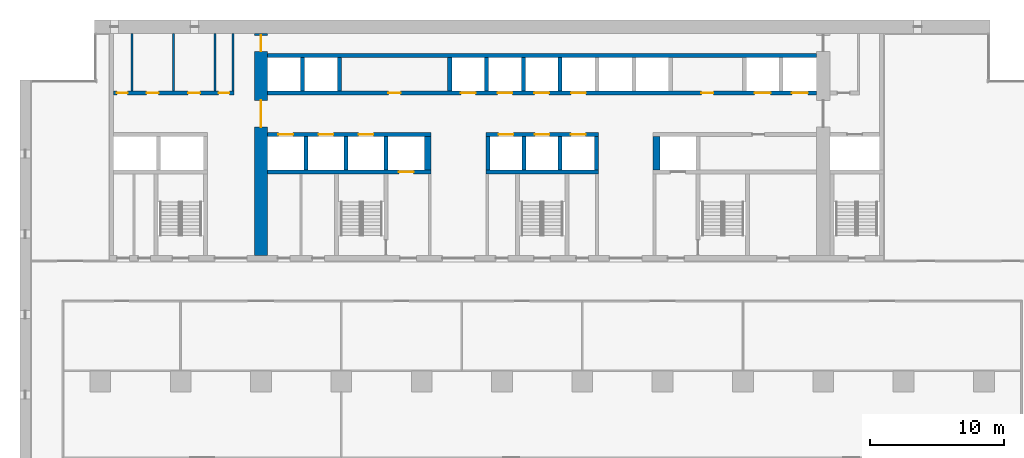
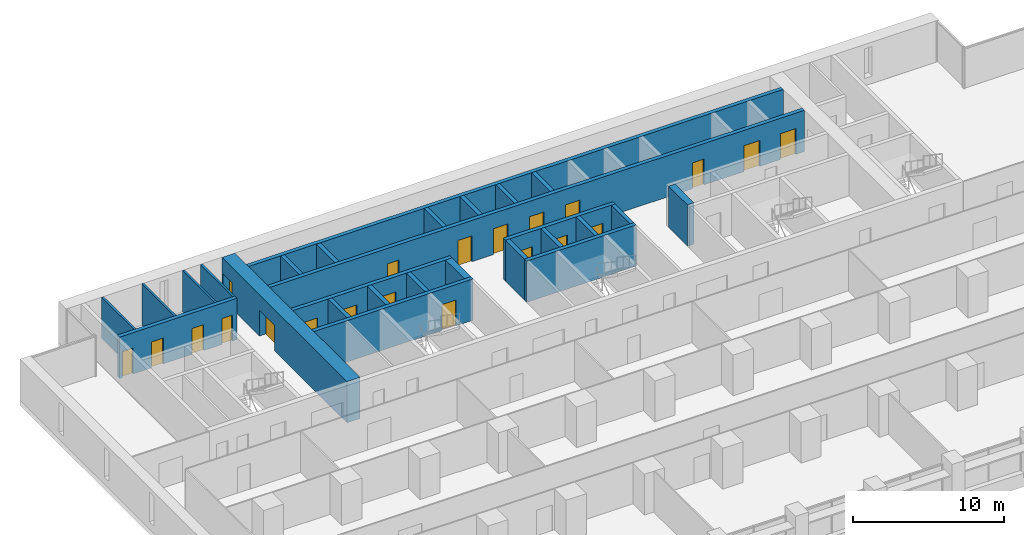
# One storey, part 11 of 17: 27 walls, 21 doors, 21 openings.
"""IFC4 building model written with IfcOpenShell, lengths in metres."""

from ifc_helpers import new_model, si_unit, direction, frame, frame_2d, origin, place, context, subcontext, project, spatial, rectangle, extrude, material, layer, layer_set, type_object, element, fill, save


model = new_model("IFC4")

# Units and contexts
model_context = context("Model", 3, precision=1e-05, world=origin(), true_north=direction((0.0, 1.0)))
body_context = subcontext(model_context, "Body", "Model", "MODEL_VIEW")
ifc_project = project(units=[si_unit("LENGTHUNIT", "METRE"), si_unit("AREAUNIT", "SQUARE_METRE"), si_unit("VOLUMEUNIT", "CUBIC_METRE"), si_unit("PLANEANGLEUNIT", "RADIAN"), si_unit("MASSUNIT", "GRAM", prefix="KILO")], contexts=[model_context])

# Site, building, storey
site_placement = place(None, origin())
site = spatial("IfcSite", under=ifc_project, at=site_placement, CompositionType="ELEMENT")
building_placement = place(site_placement, origin())
building = spatial("IfcBuilding", under=site, at=building_placement, Name="Calvaro Tower", CompositionType="ELEMENT")
storey_placement = place(building_placement, frame((0.0, 0.0, 71.25)))
storey = spatial("IfcBuildingStorey", under=building, at=storey_placement, Name="L17", CompositionType="ELEMENT", Elevation=71.25)

# Walls
ifc_material_1 = material(Name="Blockwork partition", Category="masonry")
ifc_layer_1 = layer(ifc_material_1, 0.14990234375)
ifc_layer_set_1 = layer_set([ifc_layer_1], Name="Blockwork partition")
wall_type_1 = type_object("IfcWallType", Name="Core partition 150 EI 60", PredefinedType="PARTITIONING", material=ifc_layer_set_1)
for number, where, z_axis, x_axis, name in (
    (1, (8.35009765625, 40.699951171875, 0.0), (0.0, 0.0, 1.0), (0.0, 1.0, 0.0), "Core partition"),
    (2, (11.449951171875, 40.699951171875, 0.0), (0.0, 0.0, 1.0), (0.0, 1.0, 0.0), "Core partition"),
    (3, (14.550048828125, 40.699951171875, 0.0), (0.0, 0.0, 1.0), (0.0, 1.0, 0.0), "Core partition"),
):
    element("IfcWall", number, at=place(storey_placement, frame(where, z_axis=z_axis, x_axis=x_axis)), inside=storey, type_object=wall_type_1, Name=name, PredefinedType="PARTITIONING", context=body_context, shape_type="SweptSolid", body=[
        extrude(rectangle(XDim=4.300048828125, YDim=0.14990234375, at=frame_2d((2.14990234375, 0.0))), origin(), (0.0, 0.0, 1.0), 3.35009765625),
    ])
ifc_material_2 = material(Name="Blockwork partition", Category="masonry")
ifc_layer_2 = layer(ifc_material_2, 0.14990234375)
ifc_layer_set_2 = layer_set([ifc_layer_2], Name="Blockwork partition")
wall_type_2 = type_object("IfcWallType", Name="Core partition 150 REI 120", PredefinedType="PARTITIONING", material=ifc_layer_set_2)
wall_1_placement = place(storey_placement, frame((15.925048828125, 40.699951171875, 0.0), z_axis=(0.0, 0.0, 1.0), x_axis=(0.0, 1.0, 0.0)))
element("IfcWall", 4, at=wall_1_placement, inside=storey, type_object=wall_type_2, Name="Core partition", PredefinedType="PARTITIONING", context=body_context, shape_type="SweptSolid", body=[
    extrude(rectangle(XDim=4.300048828125, YDim=0.14990234375, at=frame_2d((2.14990234375, 0.0))), origin(), (0.0, 0.0, 1.0), 3.35009765625),
])

# Wall, openings, doors
ifc_material_3 = material(Name="Blockwork partition", Category="masonry")
ifc_layer_3 = layer(ifc_material_3, 0.300048828125)
ifc_layer_set_3 = layer_set([ifc_layer_3], Name="Blockwork partition")
wall_type_3 = type_object("IfcWallType", Name="Core partition 300 REI 120", PredefinedType="PARTITIONING", material=ifc_layer_set_3)
wall_2_placement = place(storey_placement, frame((7.0, 40.550048828125, 0.0), z_axis=(0.0, 0.0, 1.0), x_axis=(1.0, 0.0, 0.0)))
wall_2 = element("IfcWall", 5, at=wall_2_placement, inside=storey, type_object=wall_type_3, Name="Core partition", PredefinedType="PARTITIONING", context=body_context, shape_type="SweptSolid", body=[
    extrude(rectangle(XDim=9.0, YDim=0.300048828125, at=frame_2d((4.5, 0.0))), origin(), (0.0, 0.0, 1.0), 3.35009765625),
])
opening_1_placement = place(wall_2_placement, frame((0.237548828125, 0.0, 0.0)))
opening_1 = element("IfcOpeningElement", 6, at=opening_1_placement, cuts=wall_2, Name="Opening RD8", PredefinedType="OPENING", context=body_context, shape_type="SweptSolid", body=[
    extrude(rectangle(XDim=0.800048828125, YDim=2.10009765625, at=frame_2d((0.39990234375, 1.050048828125))), frame((0.0, 0.159912109375, 0.0), z_axis=(0.0, -1.0, 0.0), x_axis=(1.0, 0.0, 0.0)), (0.0, 0.0, 1.0), 0.320068359375),
])
opening_2_placement = place(wall_2_placement, frame((2.449951171875, 0.0, 0.0)))
opening_2 = element("IfcOpeningElement", 7, at=opening_2_placement, cuts=wall_2, Name="Opening RD9", PredefinedType="OPENING", context=body_context, shape_type="SweptSolid", body=[
    extrude(rectangle(XDim=0.89990234375, YDim=2.10009765625, at=frame_2d((0.449951171875, 1.050048828125))), frame((0.0, 0.159912109375, 0.0), z_axis=(0.0, -1.0, 0.0), x_axis=(1.0, 0.0, 0.0)), (0.0, 0.0, 1.0), 0.320068359375),
])
opening_3_placement = place(wall_2_placement, frame((5.550048828125, 0.0, 0.0)))
opening_3 = element("IfcOpeningElement", 8, at=opening_3_placement, cuts=wall_2, Name="Opening RD9", PredefinedType="OPENING", context=body_context, shape_type="SweptSolid", body=[
    extrude(rectangle(XDim=0.89990234375, YDim=2.10009765625, at=frame_2d((0.449951171875, 1.050048828125))), frame((0.0, 0.159912109375, 0.0), z_axis=(0.0, -1.0, 0.0), x_axis=(1.0, 0.0, 0.0)), (0.0, 0.0, 1.0), 0.320068359375),
])
opening_4_placement = place(wall_2_placement, frame((7.83740234375, 0.0, 0.0)))
opening_4 = element("IfcOpeningElement", 9, at=opening_4_placement, cuts=wall_2, Name="Opening RD8C", PredefinedType="OPENING", context=body_context, shape_type="SweptSolid", body=[
    extrude(rectangle(XDim=0.800048828125, YDim=2.10009765625, at=frame_2d((0.39990234375, 1.050048828125))), frame((0.0, 0.159912109375, 0.0), z_axis=(0.0, -1.0, 0.0), x_axis=(1.0, 0.0, 0.0)), (0.0, 0.0, 1.0), 0.320068359375),
])
ifc_material_4 = material(Name="Steel door set", Category="steel")
door_type_1 = type_object("IfcDoorType", Name="Room door 800", OperationType="SINGLE_SWING_LEFT", PredefinedType="DOOR", material=ifc_material_4)
door_1_placement = place(opening_1_placement, origin())
door_1 = element("IfcDoor", 10, at=door_1_placement, inside=storey, type_object=door_type_1, Name="Room door", OperationType="SINGLE_SWING_LEFT", OverallHeight=2.10009765625, OverallWidth=0.800048828125, PredefinedType="DOOR", context=body_context, shape_type="SweptSolid", body=[
    extrude(rectangle(XDim=0.800048828125, YDim=2.10009765625, at=frame_2d((0.39990234375, 1.050048828125))), frame((0.0, 0.02490234375, 0.0), z_axis=(0.0, -1.0, 0.0), x_axis=(1.0, 0.0, 0.0)), (0.0, 0.0, 1.0), 0.050048828125),
])
fill(opening_1, door_1)
ifc_material_5 = material(Name="Steel door set", Category="steel")
door_type_2 = type_object("IfcDoorType", Name="Room door 800 FD30", OperationType="SINGLE_SWING_LEFT", PredefinedType="DOOR", material=ifc_material_5)
door_2_placement = place(opening_4_placement, origin())
door_2 = element("IfcDoor", 11, at=door_2_placement, inside=storey, type_object=door_type_2, Name="Room door", OperationType="SINGLE_SWING_RIGHT", OverallHeight=2.10009765625, OverallWidth=0.800048828125, PredefinedType="DOOR", context=body_context, shape_type="SweptSolid", body=[
    extrude(rectangle(XDim=0.800048828125, YDim=2.10009765625, at=frame_2d((0.39990234375, 1.050048828125))), frame((0.0, 0.02490234375, 0.0), z_axis=(0.0, -1.0, 0.0), x_axis=(1.0, 0.0, 0.0)), (0.0, 0.0, 1.0), 0.050048828125),
])
fill(opening_4, door_2)
ifc_material_6 = material(Name="Steel door set", Category="steel")
door_type_3 = type_object("IfcDoorType", Name="Room door 900", OperationType="SINGLE_SWING_LEFT", PredefinedType="DOOR", material=ifc_material_6)
door_3_placement = place(opening_2_placement, origin())
door_3 = element("IfcDoor", 12, at=door_3_placement, inside=storey, type_object=door_type_3, Name="Room door", OperationType="SINGLE_SWING_LEFT", OverallHeight=2.10009765625, OverallWidth=0.89990234375, PredefinedType="DOOR", context=body_context, shape_type="SweptSolid", body=[
    extrude(rectangle(XDim=0.89990234375, YDim=2.10009765625, at=frame_2d((0.449951171875, 1.050048828125))), frame((0.0, 0.02490234375, 0.0), z_axis=(0.0, -1.0, 0.0), x_axis=(1.0, 0.0, 0.0)), (0.0, 0.0, 1.0), 0.050048828125),
])
fill(opening_2, door_3)
door_4_placement = place(opening_3_placement, origin())
door_4 = element("IfcDoor", 13, at=door_4_placement, inside=storey, type_object=door_type_3, Name="Room door", OperationType="SINGLE_SWING_LEFT", OverallHeight=2.10009765625, OverallWidth=0.89990234375, PredefinedType="DOOR", context=body_context, shape_type="SweptSolid", body=[
    extrude(rectangle(XDim=0.89990234375, YDim=2.10009765625, at=frame_2d((0.449951171875, 1.050048828125))), frame((0.0, 0.02490234375, 0.0), z_axis=(0.0, -1.0, 0.0), x_axis=(1.0, 0.0, 0.0)), (0.0, 0.0, 1.0), 0.050048828125),
])
fill(opening_3, door_4)

ifc_material_7 = material(Name="Concrete C80/95", Category="concrete")
ifc_layer_4 = layer(ifc_material_7, 1.0)
ifc_layer_set_4 = layer_set([ifc_layer_4], Name="Concrete C80/95")
wall_type_4 = type_object("IfcWallType", Name="Core wall C80/95 1000", PredefinedType="SHEAR", material=ifc_layer_set_4)
wall_3_placement = place(storey_placement, frame((18.0, 28.39990234375, 0.0), z_axis=(0.0, 0.0, 1.0), x_axis=(0.0, 1.0, 0.0)))
wall_3 = element("IfcWall", 14, at=wall_3_placement, inside=storey, type_object=wall_type_4, Name="Core wall, cross shear wall", PredefinedType="SHEAR", context=body_context, shape_type="SweptSolid", body=[
    extrude(rectangle(XDim=16.60009765625, YDim=1.0, at=frame_2d((8.300048828125, 0.0))), origin(), (0.0, 0.0, 1.0), 3.35009765625),
])
opening_5_placement = place(wall_3_placement, frame((9.60009765625, 0.0, 0.0)))
opening_5 = element("IfcOpeningElement", 15, at=opening_5_placement, cuts=wall_3, Name="Opening DD20D", PredefinedType="OPENING", context=body_context, shape_type="SweptSolid", body=[
    extrude(rectangle(XDim=2.0, YDim=2.10009765625, at=frame_2d((1.0, 1.050048828125))), frame((0.0, 0.510009765625, 0.0), z_axis=(0.0, -1.0, 0.0), x_axis=(1.0, 0.0, 0.0)), (0.0, 0.0, 1.0), 1.02001953125),
])
opening_6_placement = place(wall_3_placement, frame((15.25, 0.0, 0.0)))
opening_6 = element("IfcOpeningElement", 16, at=opening_6_placement, cuts=wall_3, Name="Opening FD12C", PredefinedType="OPENING", context=body_context, shape_type="SweptSolid", body=[
    extrude(rectangle(XDim=1.199951171875, YDim=2.10009765625, at=frame_2d((0.60009765625, 1.050048828125))), frame((0.0, 0.510009765625, 0.0), z_axis=(0.0, -1.0, 0.0), x_axis=(1.0, 0.0, 0.0)), (0.0, 0.0, 1.0), 1.02001953125),
])
ifc_material_8 = material(Name="Steel door set", Category="steel")
door_type_4 = type_object("IfcDoorType", Name="Fire door 1200 FD30", OperationType="SINGLE_SWING_LEFT", PredefinedType="DOOR", material=ifc_material_8)
door_5_placement = place(opening_6_placement, origin())
door_5 = element("IfcDoor", 17, at=door_5_placement, inside=storey, type_object=door_type_4, Name="Fire door", OperationType="SINGLE_SWING_LEFT", OverallHeight=2.10009765625, OverallWidth=1.199951171875, PredefinedType="DOOR", context=body_context, shape_type="SweptSolid", body=[
    extrude(rectangle(XDim=1.199951171875, YDim=2.10009765625, at=frame_2d((0.60009765625, 1.050048828125))), frame((0.0, 0.02490234375, 0.0), z_axis=(0.0, -1.0, 0.0), x_axis=(1.0, 0.0, 0.0)), (0.0, 0.0, 1.0), 0.050048828125),
])
fill(opening_6, door_5)
ifc_material_9 = material(Name="Steel door set", Category="steel")
door_type_5 = type_object("IfcDoorType", Name="Lobby double door 2000 FD30S", OperationType="DOUBLE_DOOR_SINGLE_SWING", PredefinedType="DOOR", material=ifc_material_9)
door_6_placement = place(opening_5_placement, origin())
door_6 = element("IfcDoor", 18, at=door_6_placement, inside=storey, type_object=door_type_5, Name="Lobby double door", OperationType="DOUBLE_DOOR_SINGLE_SWING", OverallHeight=2.10009765625, OverallWidth=2.0, PredefinedType="DOOR", context=body_context, shape_type="SweptSolid", body=[
    extrude(rectangle(XDim=2.0, YDim=2.10009765625, at=frame_2d((1.0, 1.050048828125))), frame((0.0, 0.02490234375, 0.0), z_axis=(0.0, -1.0, 0.0), x_axis=(1.0, 0.0, 0.0)), (0.0, 0.0, 1.0), 0.050048828125),
])
fill(opening_5, door_6)

# Wall, opening, door
ifc_material_10 = material(Name="Concrete C80/95", Category="concrete")
ifc_layer_5 = layer(ifc_material_10, 0.300048828125)
ifc_layer_set_5 = layer_set([ifc_layer_5], Name="Concrete C80/95")
wall_type_5 = type_object("IfcWallType", Name="Core wall C80/95 300", PredefinedType="SHEAR", material=ifc_layer_set_5)
wall_4_placement = place(storey_placement, frame((18.5, 34.64990234375, 0.0), z_axis=(0.0, 0.0, 1.0), x_axis=(1.0, 0.0, 0.0)))
wall_4 = element("IfcWall", 19, at=wall_4_placement, inside=storey, type_object=wall_type_5, Name="Core wall, lift shaft", PredefinedType="SHEAR", context=body_context, shape_type="SweptSolid", body=[
    extrude(rectangle(XDim=12.199951171875, YDim=0.300048828125, at=frame_2d((6.10009765625, 0.0))), origin(), (0.0, 0.0, 1.0), 3.35009765625),
])
opening_7_placement = place(wall_4_placement, frame((9.800048828125, 0.0, 0.0)))
opening_7 = element("IfcOpeningElement", 20, at=opening_7_placement, cuts=wall_4, Name="Opening FF1", PredefinedType="OPENING", context=body_context, shape_type="SweptSolid", body=[
    extrude(rectangle(XDim=1.10009765625, YDim=2.10009765625, at=frame_2d((0.550048828125, 1.050048828125))), frame((0.0, 0.159912109375, 0.0), z_axis=(0.0, -1.0, 0.0), x_axis=(1.0, 0.0, 0.0)), (0.0, 0.0, 1.0), 0.320068359375),
])
ifc_material_11 = material(Name="Stainless steel", Category="steel")
door_type_6 = type_object("IfcDoorType", Name="Landing door 1100 E 60", OperationType="SLIDING_TO_LEFT", PredefinedType="DOOR", material=ifc_material_11)
door_7_placement = place(opening_7_placement, origin())
door_7 = element("IfcDoor", 21, at=door_7_placement, inside=storey, type_object=door_type_6, Name="Landing door FF1", OperationType="SLIDING_TO_LEFT", OverallHeight=2.10009765625, OverallWidth=1.10009765625, PredefinedType="DOOR", context=body_context, shape_type="SweptSolid", body=[
    extrude(rectangle(XDim=1.10009765625, YDim=2.10009765625, at=frame_2d((0.550048828125, 1.050048828125))), frame((0.0, 0.02490234375, 0.0), z_axis=(0.0, -1.0, 0.0), x_axis=(1.0, 0.0, 0.0)), (0.0, 0.0, 1.0), 0.050048828125),
])
fill(opening_7, door_7)

# Wall
wall_5_placement = place(storey_placement, frame((34.800048828125, 34.64990234375, 0.0), z_axis=(0.0, 0.0, 1.0), x_axis=(1.0, 0.0, 0.0)))
element("IfcWall", 22, at=wall_5_placement, inside=storey, type_object=wall_type_5, Name="Core wall, lift shaft", PredefinedType="SHEAR", context=body_context, shape_type="SweptSolid", body=[
    extrude(rectangle(XDim=8.39990234375, YDim=0.300048828125, at=frame_2d((4.199951171875, 0.0))), origin(), (0.0, 0.0, 1.0), 3.35009765625),
])

# Wall, openings, doors
wall_6_placement = place(storey_placement, frame((18.5, 37.449951171875, 0.0), z_axis=(0.0, 0.0, 1.0), x_axis=(1.0, 0.0, 0.0)))
wall_6 = element("IfcWall", 23, at=wall_6_placement, inside=storey, type_object=wall_type_5, Name="Core wall, lift shaft", PredefinedType="SHEAR", context=body_context, shape_type="SweptSolid", body=[
    extrude(rectangle(XDim=12.199951171875, YDim=0.300048828125, at=frame_2d((6.10009765625, 0.0))), origin(), (0.0, 0.0, 1.0), 3.35009765625),
])
opening_8_placement = place(wall_6_placement, frame((0.800048828125, 0.0, 0.0)))
opening_8 = element("IfcOpeningElement", 24, at=opening_8_placement, cuts=wall_6, Name="Opening LR1", PredefinedType="OPENING", context=body_context, shape_type="SweptSolid", body=[
    extrude(rectangle(XDim=1.10009765625, YDim=2.10009765625, at=frame_2d((0.550048828125, 1.050048828125))), frame((0.0, 0.159912109375, 0.0), z_axis=(0.0, -1.0, 0.0), x_axis=(1.0, 0.0, 0.0)), (0.0, 0.0, 1.0), 0.320068359375),
])
opening_9_placement = place(wall_6_placement, frame((3.800048828125, 0.0, 0.0)))
opening_9 = element("IfcOpeningElement", 25, at=opening_9_placement, cuts=wall_6, Name="Opening LR2", PredefinedType="OPENING", context=body_context, shape_type="SweptSolid", body=[
    extrude(rectangle(XDim=1.10009765625, YDim=2.10009765625, at=frame_2d((0.550048828125, 1.050048828125))), frame((0.0, 0.159912109375, 0.0), z_axis=(0.0, -1.0, 0.0), x_axis=(1.0, 0.0, 0.0)), (0.0, 0.0, 1.0), 0.320068359375),
])
opening_10_placement = place(wall_6_placement, frame((6.800048828125, 0.0, 0.0)))
opening_10 = element("IfcOpeningElement", 26, at=opening_10_placement, cuts=wall_6, Name="Opening LR3", PredefinedType="OPENING", context=body_context, shape_type="SweptSolid", body=[
    extrude(rectangle(XDim=1.10009765625, YDim=2.10009765625, at=frame_2d((0.550048828125, 1.050048828125))), frame((0.0, 0.159912109375, 0.0), z_axis=(0.0, -1.0, 0.0), x_axis=(1.0, 0.0, 0.0)), (0.0, 0.0, 1.0), 0.320068359375),
])
door_8_placement = place(opening_8_placement, origin())
door_8 = element("IfcDoor", 27, at=door_8_placement, inside=storey, type_object=door_type_6, Name="Landing door LR1", OperationType="SLIDING_TO_LEFT", OverallHeight=2.10009765625, OverallWidth=1.10009765625, PredefinedType="DOOR", context=body_context, shape_type="SweptSolid", body=[
    extrude(rectangle(XDim=1.10009765625, YDim=2.10009765625, at=frame_2d((0.550048828125, 1.050048828125))), frame((0.0, 0.02490234375, 0.0), z_axis=(0.0, -1.0, 0.0), x_axis=(1.0, 0.0, 0.0)), (0.0, 0.0, 1.0), 0.050048828125),
])
fill(opening_8, door_8)
door_9_placement = place(opening_9_placement, origin())
door_9 = element("IfcDoor", 28, at=door_9_placement, inside=storey, type_object=door_type_6, Name="Landing door LR2", OperationType="SLIDING_TO_LEFT", OverallHeight=2.10009765625, OverallWidth=1.10009765625, PredefinedType="DOOR", context=body_context, shape_type="SweptSolid", body=[
    extrude(rectangle(XDim=1.10009765625, YDim=2.10009765625, at=frame_2d((0.550048828125, 1.050048828125))), frame((0.0, 0.02490234375, 0.0), z_axis=(0.0, -1.0, 0.0), x_axis=(1.0, 0.0, 0.0)), (0.0, 0.0, 1.0), 0.050048828125),
])
fill(opening_9, door_9)
door_10_placement = place(opening_10_placement, origin())
door_10 = element("IfcDoor", 29, at=door_10_placement, inside=storey, type_object=door_type_6, Name="Landing door LR3", OperationType="SLIDING_TO_LEFT", OverallHeight=2.10009765625, OverallWidth=1.10009765625, PredefinedType="DOOR", context=body_context, shape_type="SweptSolid", body=[
    extrude(rectangle(XDim=1.10009765625, YDim=2.10009765625, at=frame_2d((0.550048828125, 1.050048828125))), frame((0.0, 0.02490234375, 0.0), z_axis=(0.0, -1.0, 0.0), x_axis=(1.0, 0.0, 0.0)), (0.0, 0.0, 1.0), 0.050048828125),
])
fill(opening_10, door_10)

wall_7_placement = place(storey_placement, frame((34.800048828125, 37.449951171875, 0.0), z_axis=(0.0, 0.0, 1.0), x_axis=(1.0, 0.0, 0.0)))
wall_7 = element("IfcWall", 30, at=wall_7_placement, inside=storey, type_object=wall_type_5, Name="Core wall, lift shaft", PredefinedType="SHEAR", context=body_context, shape_type="SweptSolid", body=[
    extrude(rectangle(XDim=8.39990234375, YDim=0.300048828125, at=frame_2d((4.199951171875, 0.0))), origin(), (0.0, 0.0, 1.0), 3.35009765625),
])
opening_11_placement = place(wall_7_placement, frame((0.949951171875, 0.0, 0.0)))
opening_11 = element("IfcOpeningElement", 31, at=opening_11_placement, cuts=wall_7, Name="Opening LR4", PredefinedType="OPENING", context=body_context, shape_type="SweptSolid", body=[
    extrude(rectangle(XDim=1.10009765625, YDim=2.10009765625, at=frame_2d((0.550048828125, 1.050048828125))), frame((0.0, 0.159912109375, 0.0), z_axis=(0.0, -1.0, 0.0), x_axis=(1.0, 0.0, 0.0)), (0.0, 0.0, 1.0), 0.320068359375),
])
opening_12_placement = place(wall_7_placement, frame((3.64990234375, 0.0, 0.0)))
opening_12 = element("IfcOpeningElement", 32, at=opening_12_placement, cuts=wall_7, Name="Opening LR5", PredefinedType="OPENING", context=body_context, shape_type="SweptSolid", body=[
    extrude(rectangle(XDim=1.10009765625, YDim=2.10009765625, at=frame_2d((0.550048828125, 1.050048828125))), frame((0.0, 0.159912109375, 0.0), z_axis=(0.0, -1.0, 0.0), x_axis=(1.0, 0.0, 0.0)), (0.0, 0.0, 1.0), 0.320068359375),
])
opening_13_placement = place(wall_7_placement, frame((6.35009765625, 0.0, 0.0)))
opening_13 = element("IfcOpeningElement", 33, at=opening_13_placement, cuts=wall_7, Name="Opening LR6", PredefinedType="OPENING", context=body_context, shape_type="SweptSolid", body=[
    extrude(rectangle(XDim=1.10009765625, YDim=2.10009765625, at=frame_2d((0.550048828125, 1.050048828125))), frame((0.0, 0.159912109375, 0.0), z_axis=(0.0, -1.0, 0.0), x_axis=(1.0, 0.0, 0.0)), (0.0, 0.0, 1.0), 0.320068359375),
])
door_11_placement = place(opening_11_placement, origin())
door_11 = element("IfcDoor", 34, at=door_11_placement, inside=storey, type_object=door_type_6, Name="Landing door LR4", OperationType="SLIDING_TO_LEFT", OverallHeight=2.10009765625, OverallWidth=1.10009765625, PredefinedType="DOOR", context=body_context, shape_type="SweptSolid", body=[
    extrude(rectangle(XDim=1.10009765625, YDim=2.10009765625, at=frame_2d((0.550048828125, 1.050048828125))), frame((0.0, 0.02490234375, 0.0), z_axis=(0.0, -1.0, 0.0), x_axis=(1.0, 0.0, 0.0)), (0.0, 0.0, 1.0), 0.050048828125),
])
fill(opening_11, door_11)
door_12_placement = place(opening_12_placement, origin())
door_12 = element("IfcDoor", 35, at=door_12_placement, inside=storey, type_object=door_type_6, Name="Landing door LR5", OperationType="SLIDING_TO_LEFT", OverallHeight=2.10009765625, OverallWidth=1.10009765625, PredefinedType="DOOR", context=body_context, shape_type="SweptSolid", body=[
    extrude(rectangle(XDim=1.10009765625, YDim=2.10009765625, at=frame_2d((0.550048828125, 1.050048828125))), frame((0.0, 0.02490234375, 0.0), z_axis=(0.0, -1.0, 0.0), x_axis=(1.0, 0.0, 0.0)), (0.0, 0.0, 1.0), 0.050048828125),
])
fill(opening_12, door_12)
door_13_placement = place(opening_13_placement, origin())
door_13 = element("IfcDoor", 36, at=door_13_placement, inside=storey, type_object=door_type_6, Name="Landing door LR6", OperationType="SLIDING_TO_LEFT", OverallHeight=2.10009765625, OverallWidth=1.10009765625, PredefinedType="DOOR", context=body_context, shape_type="SweptSolid", body=[
    extrude(rectangle(XDim=1.10009765625, YDim=2.10009765625, at=frame_2d((0.550048828125, 1.050048828125))), frame((0.0, 0.02490234375, 0.0), z_axis=(0.0, -1.0, 0.0), x_axis=(1.0, 0.0, 0.0)), (0.0, 0.0, 1.0), 0.050048828125),
])
fill(opening_13, door_13)

# Walls
for number, where, z_axis, x_axis, name in (
    (37, (27.35009765625, 34.800048828125, 0.0), (0.0, 0.0, 1.0), (0.0, 1.0, 0.0), "Core wall, lift shaft"),
    (38, (34.949951171875, 34.800048828125, 0.0), (0.0, 0.0, 1.0), (0.0, 1.0, 0.0), "Core wall, lift shaft"),
    (39, (43.050048828125, 34.800048828125, 0.0), (0.0, 0.0, 1.0), (0.0, 1.0, 0.0), "Core wall, lift shaft"),
):
    element("IfcWall", number, at=place(storey_placement, frame(where, z_axis=z_axis, x_axis=x_axis)), inside=storey, type_object=wall_type_5, Name=name, PredefinedType="SHEAR", context=body_context, shape_type="SweptSolid", body=[
        extrude(rectangle(XDim=2.5, YDim=0.300048828125, at=frame_2d((1.25, 0.0))), origin(), (0.0, 0.0, 1.0), 3.35009765625),
    ])

# Wall, openings, doors
wall_8_placement = place(storey_placement, frame((18.5, 40.550048828125, 0.0), z_axis=(0.0, 0.0, 1.0), x_axis=(1.0, 0.0, 0.0)))
wall_8 = element("IfcWall", 40, at=wall_8_placement, inside=storey, type_object=wall_type_5, Name="Core wall, bay", PredefinedType="SHEAR", context=body_context, shape_type="SweptSolid", body=[
    extrude(rectangle(XDim=41.0, YDim=0.300048828125, at=frame_2d((20.5, 0.0))), origin(), (0.0, 0.0, 1.0), 3.35009765625),
])
opening_14_placement = place(wall_8_placement, frame((9.02490234375, 0.0, 0.0)))
opening_14 = element("IfcOpeningElement", 41, at=opening_14_placement, cuts=wall_8, Name="Opening RD9C", PredefinedType="OPENING", context=body_context, shape_type="SweptSolid", body=[
    extrude(rectangle(XDim=0.89990234375, YDim=2.10009765625, at=frame_2d((0.449951171875, 1.050048828125))), frame((0.0, 0.159912109375, 0.0), z_axis=(0.0, -1.0, 0.0), x_axis=(1.0, 0.0, 0.0)), (0.0, 0.0, 1.0), 0.320068359375),
])
opening_15_placement = place(wall_8_placement, frame((32.39990234375, 0.0, 0.0)))
opening_15 = element("IfcOpeningElement", 42, at=opening_15_placement, cuts=wall_8, Name="Opening RD9C", PredefinedType="OPENING", context=body_context, shape_type="SweptSolid", body=[
    extrude(rectangle(XDim=0.89990234375, YDim=2.10009765625, at=frame_2d((0.449951171875, 1.050048828125))), frame((0.0, 0.159912109375, 0.0), z_axis=(0.0, -1.0, 0.0), x_axis=(1.0, 0.0, 0.0)), (0.0, 0.0, 1.0), 0.320068359375),
])
opening_16_placement = place(wall_8_placement, frame((14.425048828125, 0.0, 0.0)))
opening_16 = element("IfcOpeningElement", 43, at=opening_16_placement, cuts=wall_8, Name="Opening LR7", PredefinedType="OPENING", context=body_context, shape_type="SweptSolid", body=[
    extrude(rectangle(XDim=1.10009765625, YDim=2.10009765625, at=frame_2d((0.550048828125, 1.050048828125))), frame((0.0, 0.159912109375, 0.0), z_axis=(0.0, -1.0, 0.0), x_axis=(1.0, 0.0, 0.0)), (0.0, 0.0, 1.0), 0.320068359375),
])
opening_17_placement = place(wall_8_placement, frame((17.175048828125, 0.0, 0.0)))
opening_17 = element("IfcOpeningElement", 44, at=opening_17_placement, cuts=wall_8, Name="Opening LR8", PredefinedType="OPENING", context=body_context, shape_type="SweptSolid", body=[
    extrude(rectangle(XDim=1.10009765625, YDim=2.10009765625, at=frame_2d((0.550048828125, 1.050048828125))), frame((0.0, 0.159912109375, 0.0), z_axis=(0.0, -1.0, 0.0), x_axis=(1.0, 0.0, 0.0)), (0.0, 0.0, 1.0), 0.320068359375),
])
opening_18_placement = place(wall_8_placement, frame((19.925048828125, 0.0, 0.0)))
opening_18 = element("IfcOpeningElement", 45, at=opening_18_placement, cuts=wall_8, Name="Opening LR9", PredefinedType="OPENING", context=body_context, shape_type="SweptSolid", body=[
    extrude(rectangle(XDim=1.10009765625, YDim=2.10009765625, at=frame_2d((0.550048828125, 1.050048828125))), frame((0.0, 0.159912109375, 0.0), z_axis=(0.0, -1.0, 0.0), x_axis=(1.0, 0.0, 0.0)), (0.0, 0.0, 1.0), 0.320068359375),
])
opening_19_placement = place(wall_8_placement, frame((22.675048828125, 0.0, 0.0)))
opening_19 = element("IfcOpeningElement", 46, at=opening_19_placement, cuts=wall_8, Name="Opening LR10", PredefinedType="OPENING", context=body_context, shape_type="SweptSolid", body=[
    extrude(rectangle(XDim=1.10009765625, YDim=2.10009765625, at=frame_2d((0.550048828125, 1.050048828125))), frame((0.0, 0.159912109375, 0.0), z_axis=(0.0, -1.0, 0.0), x_axis=(1.0, 0.0, 0.0)), (0.0, 0.0, 1.0), 0.320068359375),
])
opening_20_placement = place(wall_8_placement, frame((36.375, 0.0, 0.0)))
opening_20 = element("IfcOpeningElement", 47, at=opening_20_placement, cuts=wall_8, Name="Opening SV1", PredefinedType="OPENING", context=body_context, shape_type="SweptSolid", body=[
    extrude(rectangle(XDim=1.199951171875, YDim=2.10009765625, at=frame_2d((0.60009765625, 1.050048828125))), frame((0.0, 0.159912109375, 0.0), z_axis=(0.0, -1.0, 0.0), x_axis=(1.0, 0.0, 0.0)), (0.0, 0.0, 1.0), 0.320068359375),
])
opening_21_placement = place(wall_8_placement, frame((39.14990234375, 0.0, 0.0)))
opening_21 = element("IfcOpeningElement", 48, at=opening_21_placement, cuts=wall_8, Name="Opening SV2", PredefinedType="OPENING", context=body_context, shape_type="SweptSolid", body=[
    extrude(rectangle(XDim=1.199951171875, YDim=2.10009765625, at=frame_2d((0.60009765625, 1.050048828125))), frame((0.0, 0.159912109375, 0.0), z_axis=(0.0, -1.0, 0.0), x_axis=(1.0, 0.0, 0.0)), (0.0, 0.0, 1.0), 0.320068359375),
])
door_14_placement = place(opening_16_placement, origin())
door_14 = element("IfcDoor", 49, at=door_14_placement, inside=storey, type_object=door_type_6, Name="Landing door LR7", OperationType="SLIDING_TO_LEFT", OverallHeight=2.10009765625, OverallWidth=1.10009765625, PredefinedType="DOOR", context=body_context, shape_type="SweptSolid", body=[
    extrude(rectangle(XDim=1.10009765625, YDim=2.10009765625, at=frame_2d((0.550048828125, 1.050048828125))), frame((0.0, 0.02490234375, 0.0), z_axis=(0.0, -1.0, 0.0), x_axis=(1.0, 0.0, 0.0)), (0.0, 0.0, 1.0), 0.050048828125),
])
fill(opening_16, door_14)
door_15_placement = place(opening_17_placement, origin())
door_15 = element("IfcDoor", 50, at=door_15_placement, inside=storey, type_object=door_type_6, Name="Landing door LR8", OperationType="SLIDING_TO_LEFT", OverallHeight=2.10009765625, OverallWidth=1.10009765625, PredefinedType="DOOR", context=body_context, shape_type="SweptSolid", body=[
    extrude(rectangle(XDim=1.10009765625, YDim=2.10009765625, at=frame_2d((0.550048828125, 1.050048828125))), frame((0.0, 0.02490234375, 0.0), z_axis=(0.0, -1.0, 0.0), x_axis=(1.0, 0.0, 0.0)), (0.0, 0.0, 1.0), 0.050048828125),
])
fill(opening_17, door_15)
door_16_placement = place(opening_18_placement, origin())
door_16 = element("IfcDoor", 51, at=door_16_placement, inside=storey, type_object=door_type_6, Name="Landing door LR9", OperationType="SLIDING_TO_LEFT", OverallHeight=2.10009765625, OverallWidth=1.10009765625, PredefinedType="DOOR", context=body_context, shape_type="SweptSolid", body=[
    extrude(rectangle(XDim=1.10009765625, YDim=2.10009765625, at=frame_2d((0.550048828125, 1.050048828125))), frame((0.0, 0.02490234375, 0.0), z_axis=(0.0, -1.0, 0.0), x_axis=(1.0, 0.0, 0.0)), (0.0, 0.0, 1.0), 0.050048828125),
])
fill(opening_18, door_16)
door_17_placement = place(opening_19_placement, origin())
door_17 = element("IfcDoor", 52, at=door_17_placement, inside=storey, type_object=door_type_6, Name="Landing door LR10", OperationType="SLIDING_TO_LEFT", OverallHeight=2.10009765625, OverallWidth=1.10009765625, PredefinedType="DOOR", context=body_context, shape_type="SweptSolid", body=[
    extrude(rectangle(XDim=1.10009765625, YDim=2.10009765625, at=frame_2d((0.550048828125, 1.050048828125))), frame((0.0, 0.02490234375, 0.0), z_axis=(0.0, -1.0, 0.0), x_axis=(1.0, 0.0, 0.0)), (0.0, 0.0, 1.0), 0.050048828125),
])
fill(opening_19, door_17)
ifc_material_12 = material(Name="Stainless steel", Category="steel")
door_type_7 = type_object("IfcDoorType", Name="Landing door 1200 E 60", OperationType="SLIDING_TO_LEFT", PredefinedType="DOOR", material=ifc_material_12)
door_18_placement = place(opening_20_placement, origin())
door_18 = element("IfcDoor", 53, at=door_18_placement, inside=storey, type_object=door_type_7, Name="Landing door SV1", OperationType="SLIDING_TO_LEFT", OverallHeight=2.10009765625, OverallWidth=1.199951171875, PredefinedType="DOOR", context=body_context, shape_type="SweptSolid", body=[
    extrude(rectangle(XDim=1.199951171875, YDim=2.10009765625, at=frame_2d((0.60009765625, 1.050048828125))), frame((0.0, 0.02490234375, 0.0), z_axis=(0.0, -1.0, 0.0), x_axis=(1.0, 0.0, 0.0)), (0.0, 0.0, 1.0), 0.050048828125),
])
fill(opening_20, door_18)
door_19_placement = place(opening_21_placement, origin())
door_19 = element("IfcDoor", 54, at=door_19_placement, inside=storey, type_object=door_type_7, Name="Landing door SV2", OperationType="SLIDING_TO_LEFT", OverallHeight=2.10009765625, OverallWidth=1.199951171875, PredefinedType="DOOR", context=body_context, shape_type="SweptSolid", body=[
    extrude(rectangle(XDim=1.199951171875, YDim=2.10009765625, at=frame_2d((0.60009765625, 1.050048828125))), frame((0.0, 0.02490234375, 0.0), z_axis=(0.0, -1.0, 0.0), x_axis=(1.0, 0.0, 0.0)), (0.0, 0.0, 1.0), 0.050048828125),
])
fill(opening_21, door_19)
ifc_material_13 = material(Name="Steel door set", Category="steel")
door_type_8 = type_object("IfcDoorType", Name="Room door 900 FD30", OperationType="SINGLE_SWING_LEFT", PredefinedType="DOOR", material=ifc_material_13)
door_20_placement = place(opening_14_placement, origin())
door_20 = element("IfcDoor", 55, at=door_20_placement, inside=storey, type_object=door_type_8, Name="Room door", OperationType="SINGLE_SWING_RIGHT", OverallHeight=2.10009765625, OverallWidth=0.89990234375, PredefinedType="DOOR", context=body_context, shape_type="SweptSolid", body=[
    extrude(rectangle(XDim=0.89990234375, YDim=2.10009765625, at=frame_2d((0.449951171875, 1.050048828125))), frame((0.0, 0.02490234375, 0.0), z_axis=(0.0, -1.0, 0.0), x_axis=(1.0, 0.0, 0.0)), (0.0, 0.0, 1.0), 0.050048828125),
])
fill(opening_14, door_20)
door_21_placement = place(opening_15_placement, origin())
door_21 = element("IfcDoor", 56, at=door_21_placement, inside=storey, type_object=door_type_8, Name="Room door", OperationType="SINGLE_SWING_LEFT", OverallHeight=2.10009765625, OverallWidth=0.89990234375, PredefinedType="DOOR", context=body_context, shape_type="SweptSolid", body=[
    extrude(rectangle(XDim=0.89990234375, YDim=2.10009765625, at=frame_2d((0.449951171875, 1.050048828125))), frame((0.0, 0.02490234375, 0.0), z_axis=(0.0, -1.0, 0.0), x_axis=(1.0, 0.0, 0.0)), (0.0, 0.0, 1.0), 0.050048828125),
])
fill(opening_15, door_21)

# Walls
wall_9_placement = place(storey_placement, frame((18.5, 43.35009765625, 0.0), z_axis=(0.0, 0.0, 1.0), x_axis=(1.0, 0.0, 0.0)))
element("IfcWall", 57, at=wall_9_placement, inside=storey, type_object=wall_type_5, Name="Core wall, lift shaft", PredefinedType="SHEAR", context=body_context, shape_type="SweptSolid", body=[
    extrude(rectangle(XDim=41.0, YDim=0.300048828125, at=frame_2d((20.5, 0.0))), origin(), (0.0, 0.0, 1.0), 3.35009765625),
])
for number, where, z_axis, x_axis, name in (
    (58, (21.35009765625, 34.800048828125, 0.0), (0.0, 0.0, 1.0), (0.0, 1.0, 0.0), "Core wall, lift shaft"),
    (59, (24.35009765625, 34.800048828125, 0.0), (0.0, 0.0, 1.0), (0.0, 1.0, 0.0), "Core wall, lift shaft"),
    (60, (37.64990234375, 34.800048828125, 0.0), (0.0, 0.0, 1.0), (0.0, 1.0, 0.0), "Core wall, lift shaft"),
    (61, (40.35009765625, 34.800048828125, 0.0), (0.0, 0.0, 1.0), (0.0, 1.0, 0.0), "Core wall, lift shaft"),
    (62, (21.10009765625, 40.699951171875, 0.0), (0.0, 0.0, 1.0), (0.0, 1.0, 0.0), "Core wall, lift shaft"),
    (63, (23.85009765625, 40.699951171875, 0.0), (0.0, 0.0, 1.0), (0.0, 1.0, 0.0), "Core wall, lift shaft"),
    (64, (32.10009765625, 40.699951171875, 0.0), (0.0, 0.0, 1.0), (0.0, 1.0, 0.0), "Core wall, lift shaft"),
    (65, (34.85009765625, 40.699951171875, 0.0), (0.0, 0.0, 1.0), (0.0, 1.0, 0.0), "Core wall, lift shaft"),
    (66, (37.60009765625, 40.699951171875, 0.0), (0.0, 0.0, 1.0), (0.0, 1.0, 0.0), "Core wall, lift shaft"),
    (67, (40.35009765625, 40.699951171875, 0.0), (0.0, 0.0, 1.0), (0.0, 1.0, 0.0), "Core wall, lift shaft"),
):
    element("IfcWall", number, at=place(storey_placement, frame(where, z_axis=z_axis, x_axis=x_axis)), inside=storey, type_object=wall_type_5, Name=name, PredefinedType="SHEAR", context=body_context, shape_type="SweptSolid", body=[
        extrude(rectangle(XDim=2.5, YDim=0.300048828125, at=frame_2d((1.25, 0.0))), origin(), (0.0, 0.0, 1.0), 3.35009765625),
    ])
ifc_material_14 = material(Name="Concrete C80/95", Category="concrete")
ifc_layer_6 = layer(ifc_material_14, 0.5)
ifc_layer_set_6 = layer_set([ifc_layer_6], Name="Concrete C80/95")
wall_type_6 = type_object("IfcWallType", Name="Core wall C80/95 500", PredefinedType="SHEAR", material=ifc_layer_set_6)
for number, where, z_axis, x_axis, name in (
    (68, (30.449951171875, 34.800048828125, 0.0), (0.0, 0.0, 1.0), (0.0, 1.0, 0.0), "Core wall, lift shaft"),
    (69, (47.550048828125, 34.800048828125, 0.0), (0.0, 0.0, 1.0), (0.0, 1.0, 0.0), "Core wall, lift shaft"),
):
    element("IfcWall", number, at=place(storey_placement, frame(where, z_axis=z_axis, x_axis=x_axis)), inside=storey, type_object=wall_type_6, Name=name, PredefinedType="SHEAR", context=body_context, shape_type="SweptSolid", body=[
        extrude(rectangle(XDim=2.5, YDim=0.5, at=frame_2d((1.25, 0.0))), origin(), (0.0, 0.0, 1.0), 3.35009765625),
    ])

save(model, "model.ifc")
